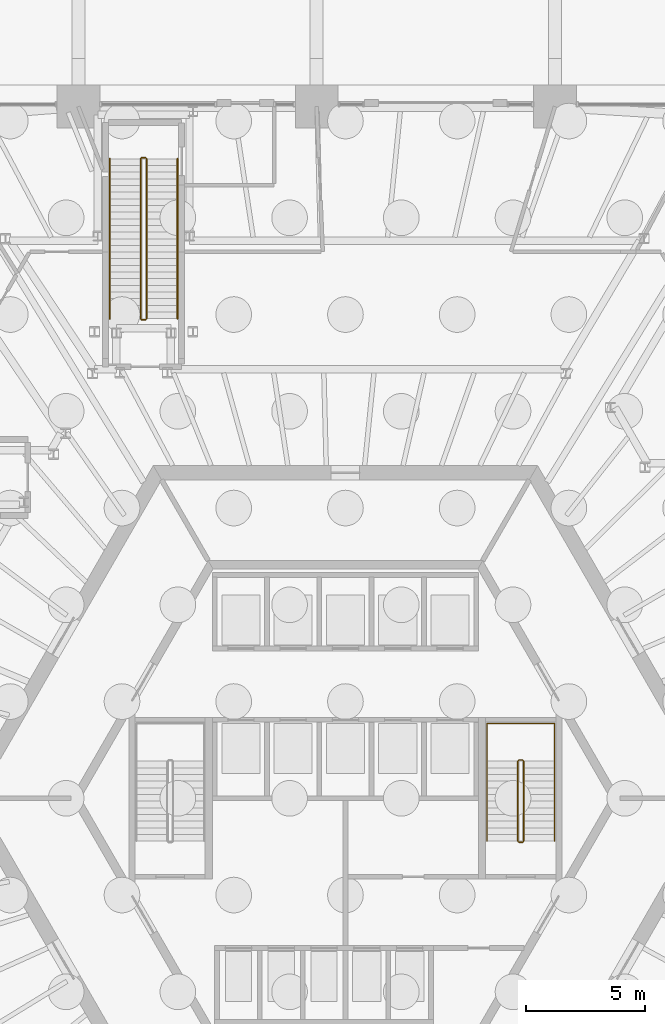
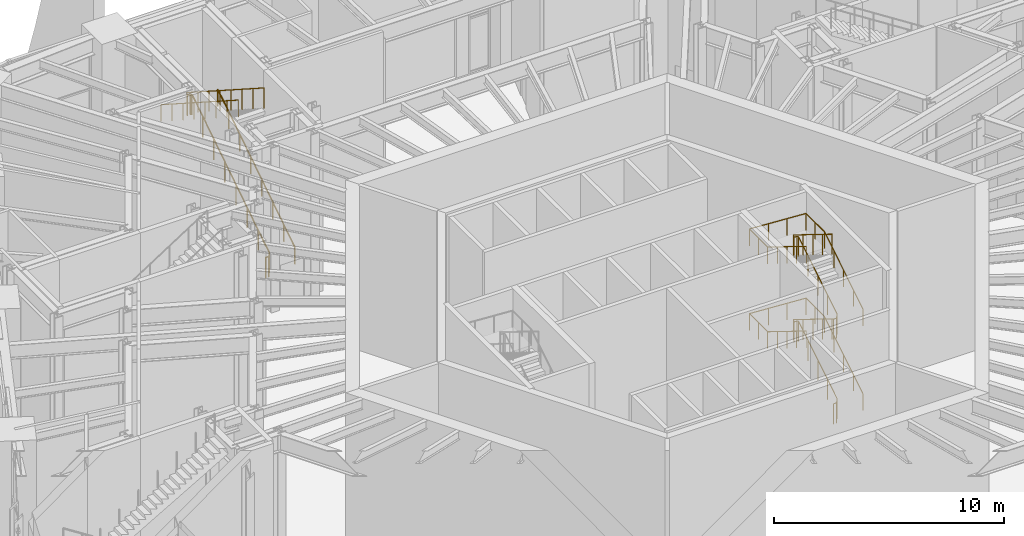
# One storey, part 38 of 43: 9 railings.
"""IFC4 building model written with IfcOpenShell, lengths in metres."""

import ifcopenshell
import ifcopenshell.guid

model = None  # the IFC model being written
_history = None  # IfcOwnerHistory: only IFC2X3 demands one
_inside = {}  # id of a spatial element -> (the spatial element, [elements in it])
_under = {}  # id of a project, library or spatial element -> (it, [spatial elements below it])
_declared = {}  # id of a project -> (the project, [libraries it declares])
_typed = {}  # id of a type object -> (the type object, [elements of that type])
_made_of = {}  # id of a material, layer set ... -> (it, [elements and type objects made of it])


def new_model(schema):
    """Start an empty IFC model of exactly this schema.

    Asked for "IFC4X3", IfcOpenShell would pick the latest addendum, in which some entities
    have other attributes; the version numbers below select the first issue.
    IFC2X3 requires an IfcOwnerHistory on every rooted entity: one is made here for all.
    """
    global model, _history
    if schema == "IFC4X3":
        model = ifcopenshell.file(schema_version=(4, 3, 0, 0))
    else:
        model = ifcopenshell.file(schema=schema)
    _inside.clear()
    _under.clear()
    _declared.clear()
    _typed.clear()
    _made_of.clear()
    _history = None
    if model.schema == "IFC2X3":
        org = make("IfcOrganization", Name="unknown")
        user = make(
            "IfcPersonAndOrganization",
            ThePerson=make("IfcPerson", FamilyName="unknown"),
            TheOrganization=org,
        )
        app = make(
            "IfcApplication",
            ApplicationDeveloper=org,
            Version="unknown",
            ApplicationFullName="unknown",
            ApplicationIdentifier="unknown",
        )
        _history = make(
            "IfcOwnerHistory",
            OwningUser=user,
            OwningApplication=app,
            ChangeAction="ADDED",
            CreationDate=0,
        )
    return model


def make(cls, **values):
    """One entity of the class cls with the attributes given. An attribute that is None is left unset."""
    return model.create_entity(
        cls, **{name: value for name, value in values.items() if value is not None}
    )


def rooted(cls, **values):
    """An entity with a GlobalId (a new one), such as an element, a storey or a relation."""
    return make(cls, GlobalId=ifcopenshell.guid.new(), OwnerHistory=_history, **values)


def si_unit(unit_type, name, prefix=None):
    """IfcSIUnit, for example si_unit("LENGTHUNIT", "METRE", prefix="MILLI")."""
    return make("IfcSIUnit", UnitType=unit_type, Prefix=prefix, Name=name)


def assignment(units):
    """IfcUnitAssignment: the units of a project."""
    return None if units is None else make("IfcUnitAssignment", Units=units)


def point(xyz):
    """IfcCartesianPoint."""
    return None if xyz is None else make("IfcCartesianPoint", Coordinates=xyz)


def direction(xyz):
    """IfcDirection."""
    return None if xyz is None else make("IfcDirection", DirectionRatios=xyz)


def frame(location, z_axis=None, x_axis=None):
    """IfcAxis2Placement3D, a coordinate frame: its origin and axes. An axis left out is left unset."""
    return make(
        "IfcAxis2Placement3D",
        Location=point(location),
        Axis=direction(z_axis),
        RefDirection=direction(x_axis),
    )


def frame_2d(location, x_axis=None):
    """IfcAxis2Placement2D, a coordinate frame in the plane: its origin and x axis."""
    return make(
        "IfcAxis2Placement2D", Location=point(location), RefDirection=direction(x_axis)
    )


def origin():
    """The frame at (0, 0, 0) with its axes left unset."""
    return frame((0.0, 0.0, 0.0))


def origin_2d():
    """The frame at (0, 0) in the plane with its x axis left unset."""
    return frame_2d((0.0, 0.0))


def place(relative_to, where):
    """IfcLocalPlacement: puts the frame where relative to a parent placement (None: the world)."""
    return make(
        "IfcLocalPlacement", PlacementRelTo=relative_to, RelativePlacement=where
    )


def context(
    kind, dimensions, precision=None, world=None, true_north=None, identifier=None
):
    """IfcGeometricRepresentationContext, for example the 3D "Model" context."""
    return make(
        "IfcGeometricRepresentationContext",
        ContextIdentifier=identifier,
        ContextType=kind,
        CoordinateSpaceDimension=dimensions,
        Precision=precision,
        WorldCoordinateSystem=world,
        TrueNorth=true_north,
    )


def subcontext(parent, identifier, kind, view, scale=None):
    """IfcGeometricRepresentationSubContext, for example "Body" below "Model"."""
    return make(
        "IfcGeometricRepresentationSubContext",
        ContextIdentifier=identifier,
        ContextType=kind,
        ParentContext=parent,
        TargetScale=scale,
        TargetView=view,
    )


def project(units=None, contexts=None):
    """IfcProject with its units and contexts."""
    return rooted(
        "IfcProject",
        Name="project",
        RepresentationContexts=contexts,
        UnitsInContext=assignment(units),
    )


def spatial(cls, under=None, at=None, **own):
    """A site, building, storey or space (cls), placed at a placement, below another one or the project."""
    s = rooted(cls, ObjectPlacement=at, **own)
    if under is not None:
        _under.setdefault(under.id(), (under, []))[1].append(s)
    return s


def profile(cls, at=None, kind="AREA", **sizes):
    """A parametric profile (cls). Its sizes go by their IFC names, for example OverallWidth=200.0."""
    return make(cls, ProfileType=kind, Position=at, **sizes)


def circle(**sizes):
    """IfcCircleProfileDef."""
    return profile("IfcCircleProfileDef", **sizes)


def extrude(swept, where, along, depth):
    """IfcExtrudedAreaSolid: the profile swept, set in the frame where, extruded along a direction by depth."""
    return make(
        "IfcExtrudedAreaSolid",
        SweptArea=swept,
        Position=where,
        ExtrudedDirection=direction(along),
        Depth=depth,
    )


def shape(context_of_items, identifier, shape_type, items):
    """IfcShapeRepresentation: the items that make up one representation, for example the "Body"."""
    return make(
        "IfcShapeRepresentation",
        ContextOfItems=context_of_items,
        RepresentationIdentifier=identifier,
        RepresentationType=shape_type,
        Items=items,
    )


def material(Name=None, Category=None):
    """IfcMaterial."""
    return make("IfcMaterial", Name=Name, Category=Category)


def made_of(thing, what):
    """Note that an element or type object is made of a material, layer set ...; save() writes the relation."""
    if what is not None:
        _made_of.setdefault(what.id(), (what, []))[1].append(thing)
    return thing


def type_object(cls, material=None, **own):
    """A type object (cls), such as IfcWallType, which elements share."""
    return made_of(rooted(cls, **own), material)


def element(
    cls,
    number,
    at=None,
    inside=None,
    cuts=None,
    type_object=None,
    material=None,
    context=None,
    identifier="Body",
    shape_type=None,
    held_by="IfcProductDefinitionShape",
    body=None,
    shapes=None,
    **own,
):
    """One element of the class cls, such as IfcWall. Its Tag is "e" and its number.

    at: its placement. inside: the storey or other place that contains it. cuts: it is an
    opening in that element (IfcRelVoidsElement). A single representation is given by context,
    identifier, shape_type and body (its items); several are given by shapes. held_by: the class
    of the entity that holds the representations. save() writes the other relations.
    """
    e = rooted(cls, Tag="e%d" % number, ObjectPlacement=at, **own)
    if body is not None:
        shapes = [shape(context, identifier, shape_type, body)]
    if shapes is not None:
        e.Representation = make(held_by, Representations=shapes)
    if inside is not None:
        _inside.setdefault(inside.id(), (inside, []))[1].append(e)
    if cuts is not None:
        rooted(
            "IfcRelVoidsElement", RelatingBuildingElement=cuts, RelatedOpeningElement=e
        )
    if type_object is not None:
        _typed.setdefault(type_object.id(), (type_object, []))[1].append(e)
    return made_of(e, material)


def aggregate(whole, parts):
    """IfcRelAggregates: a whole, such as a stair, and the parts it consists of."""
    return rooted("IfcRelAggregates", RelatingObject=whole, RelatedObjects=parts)


def save(model, path):
    """Write the relations noted so far, then the file.

    IfcRelAggregates (storeys below a building ...), IfcRelContainedInSpatialStructure (elements
    in a storey), IfcRelDefinesByType, IfcRelAssociatesMaterial and IfcRelDeclares: one each for
    every whole, place, type object, material and project.
    """
    for whole, parts in _under.values():
        aggregate(whole, parts)
    for where, things in _inside.values():
        rooted(
            "IfcRelContainedInSpatialStructure",
            RelatedElements=things,
            RelatingStructure=where,
        )
    for kind, things in _typed.values():
        rooted("IfcRelDefinesByType", RelatedObjects=things, RelatingType=kind)
    for what, things in _made_of.values():
        rooted("IfcRelAssociatesMaterial", RelatedObjects=things, RelatingMaterial=what)
    for by, libraries in _declared.values():
        rooted("IfcRelDeclares", RelatingContext=by, RelatedDefinitions=libraries)
    model.write(path)


model = new_model("IFC4")

# Units and contexts
model_context = context("Model", 3, precision=1e-05, world=origin(), true_north=direction((0.0, 1.0)))
body_context = subcontext(model_context, "Body", "Model", "MODEL_VIEW")
ifc_project = project(units=[si_unit("LENGTHUNIT", "METRE"), si_unit("AREAUNIT", "SQUARE_METRE"), si_unit("VOLUMEUNIT", "CUBIC_METRE"), si_unit("PLANEANGLEUNIT", "RADIAN"), si_unit("MASSUNIT", "GRAM", prefix="KILO")], contexts=[model_context])

# Site, building, storey
site_placement = place(None, origin())
site = spatial("IfcSite", under=ifc_project, at=site_placement, CompositionType="ELEMENT")
building_placement = place(site_placement, origin())
building = spatial("IfcBuilding", under=site, at=building_placement, Name="Tarnside Tower", CompositionType="ELEMENT")
storey_placement = place(building_placement, origin())
storey = spatial("IfcBuildingStorey", under=building, at=storey_placement, Name="L00", CompositionType="ELEMENT", Elevation=0.0)

# Railings
ifc_material = material(Name="Stainless steel", Category="steel")
railing_type_1 = type_object("IfcRailingType", Name="Podium stair guard 1100", PredefinedType="GUARDRAIL", material=ifc_material)
railing_1_placement = place(storey_placement, frame((-8.36474609375, 20.179931640625, 0.179931640625)))
element("IfcRailing", 1, at=railing_1_placement, inside=storey, type_object=railing_type_1, Name="L00 PS1 stair guard 1", PredefinedType="GUARDRAIL", context=body_context, shape_type="SweptSolid", body=[
    extrude(circle(Radius=0.02392578125, at=origin_2d()), frame((0.0, 0.0, 1.076171875), z_axis=(0.0, 0.841173510664, 0.540765314122), x_axis=(-1.0, 0.0, 0.0)), (0.0, 0.0, 1.0), 7.98876953125),
    extrude(circle(Radius=0.02099609375, at=origin_2d()), origin(), (0.0, 0.0, 1.0), 1.052001953125),
    extrude(circle(Radius=0.02099609375, at=origin_2d()), frame((0.0, 0.9599609375, 0.6171875)), (0.0, 0.0, 1.0), 1.052001953125),
    extrude(circle(Radius=0.02099609375, at=origin_2d()), frame((0.0, 1.919921875, 1.234375)), (0.0, 0.0, 1.0), 1.052001953125),
    extrude(circle(Radius=0.02099609375, at=origin_2d()), frame((0.0, 2.8798828125, 1.8515625)), (0.0, 0.0, 1.0), 1.052001953125),
    extrude(circle(Radius=0.02099609375, at=origin_2d()), frame((0.0, 3.840087890625, 2.468505859375)), (0.0, 0.0, 1.0), 1.052001953125),
    extrude(circle(Radius=0.02099609375, at=origin_2d()), frame((0.0, 4.800048828125, 3.085693359375)), (0.0, 0.0, 1.0), 1.052001953125),
    extrude(circle(Radius=0.02099609375, at=origin_2d()), frame((0.0, 5.760009765625, 3.702880859375)), (0.0, 0.0, 1.0), 1.052001953125),
    extrude(circle(Radius=0.02099609375, at=origin_2d()), frame((0.0, 6.719970703125, 4.320068359375)), (0.0, 0.0, 1.0), 1.052001953125),
])
railing_2_placement = place(storey_placement, frame((-8.414794921875, 26.949951171875, 4.5)))
element("IfcRailing", 2, at=railing_2_placement, inside=storey, type_object=railing_type_1, Name="L00 PS1 stair guard 2", PredefinedType="GUARDRAIL", context=body_context, shape_type="SweptSolid", body=[
    extrude(circle(Radius=0.02392578125, at=origin_2d()), frame((0.0, 0.0, 1.076171875), z_axis=(-1.0, 0.0, 0.0), x_axis=(0.0, -1.0, 0.0)), (0.0, 0.0, 1.0), 0.14990234375),
    extrude(circle(Radius=0.02099609375, at=origin_2d()), origin(), (0.0, 0.0, 1.0), 1.052001953125),
    extrude(circle(Radius=0.02099609375, at=origin_2d()), frame((-0.14990234375, 0.0, 0.0)), (0.0, 0.0, 1.0), 1.052001953125),
])
railing_3_placement = place(storey_placement, frame((-8.61474609375, 26.89990234375, 4.679931640625)))
element("IfcRailing", 3, at=railing_3_placement, inside=storey, type_object=railing_type_1, Name="L00 PS1 stair guard 3", PredefinedType="GUARDRAIL", context=body_context, shape_type="SweptSolid", body=[
    extrude(circle(Radius=0.02392578125, at=origin_2d()), frame((0.0, 0.0, 1.076171875), z_axis=(0.0, -0.841173510664, 0.540765314122), x_axis=(1.0, 0.0, 0.0)), (0.0, 0.0, 1.0), 7.98876953125),
    extrude(circle(Radius=0.02099609375, at=origin_2d()), origin(), (0.0, 0.0, 1.0), 1.052001953125),
    extrude(circle(Radius=0.02099609375, at=origin_2d()), frame((0.0, -0.9599609375, 0.6171875)), (0.0, 0.0, 1.0), 1.052001953125),
    extrude(circle(Radius=0.02099609375, at=origin_2d()), frame((0.0, -1.919921875, 1.234375)), (0.0, 0.0, 1.0), 1.052001953125),
    extrude(circle(Radius=0.02099609375, at=origin_2d()), frame((0.0, -2.8798828125, 1.8515625)), (0.0, 0.0, 1.0), 1.052001953125),
    extrude(circle(Radius=0.02099609375, at=origin_2d()), frame((0.0, -3.840087890625, 2.468505859375)), (0.0, 0.0, 1.0), 1.052001953125),
    extrude(circle(Radius=0.02099609375, at=origin_2d()), frame((0.0, -4.800048828125, 3.085693359375)), (0.0, 0.0, 1.0), 1.052001953125),
    extrude(circle(Radius=0.02099609375, at=origin_2d()), frame((0.0, -5.760009765625, 3.702880859375)), (0.0, 0.0, 1.0), 1.052001953125),
    extrude(circle(Radius=0.02099609375, at=origin_2d()), frame((0.0, -6.719970703125, 4.320068359375)), (0.0, 0.0, 1.0), 1.052001953125),
])
railing_4_placement = place(storey_placement, frame((-8.414794921875, 20.1298828125, 0.0)))
element("IfcRailing", 4, at=railing_4_placement, inside=storey, type_object=railing_type_1, Name="L00 PS1 stair guard 4", PredefinedType="GUARDRAIL", context=body_context, shape_type="SweptSolid", body=[
    extrude(circle(Radius=0.02392578125, at=origin_2d()), frame((0.0, 0.0, 1.076171875), z_axis=(-1.0, 0.0, 0.0), x_axis=(0.0, -1.0, 0.0)), (0.0, 0.0, 1.0), 0.14990234375),
    extrude(circle(Radius=0.02099609375, at=origin_2d()), origin(), (0.0, 0.0, 1.0), 1.052001953125),
    extrude(circle(Radius=0.02099609375, at=origin_2d()), frame((-0.14990234375, 0.0, 0.0)), (0.0, 0.0, 1.0), 1.052001953125),
])
railing_type_2 = type_object("IfcRailingType", Name="Podium stair handrail 900", PredefinedType="HANDRAIL", material=ifc_material)
railing_5_placement = place(storey_placement, frame((-7.064697265625, 20.179931640625, 0.179931640625)))
element("IfcRailing", 5, at=railing_5_placement, inside=storey, type_object=railing_type_2, Name="L00 PS1 stair handrail 1", PredefinedType="HANDRAIL", context=body_context, shape_type="SweptSolid", body=[
    extrude(circle(Radius=0.02392578125, at=origin_2d()), frame((0.0, 0.0, 0.8857421875), z_axis=(0.0, 0.841173510664, 0.540765314122), x_axis=(-1.0, 0.0, 0.0)), (0.0, 0.0, 1.0), 7.98876953125),
    extrude(circle(Radius=0.02099609375, at=origin_2d()), origin(), (0.0, 0.0, 1.0), 0.86181640625),
    extrude(circle(Radius=0.02099609375, at=origin_2d()), frame((0.0, 0.9599609375, 0.6171875)), (0.0, 0.0, 1.0), 0.86181640625),
    extrude(circle(Radius=0.02099609375, at=origin_2d()), frame((0.0, 1.919921875, 1.234375)), (0.0, 0.0, 1.0), 0.86181640625),
    extrude(circle(Radius=0.02099609375, at=origin_2d()), frame((0.0, 2.8798828125, 1.8515625)), (0.0, 0.0, 1.0), 0.86181640625),
    extrude(circle(Radius=0.02099609375, at=origin_2d()), frame((0.0, 3.840087890625, 2.468505859375)), (0.0, 0.0, 1.0), 0.86181640625),
    extrude(circle(Radius=0.02099609375, at=origin_2d()), frame((0.0, 4.800048828125, 3.085693359375)), (0.0, 0.0, 1.0), 0.86181640625),
    extrude(circle(Radius=0.02099609375, at=origin_2d()), frame((0.0, 5.760009765625, 3.702880859375)), (0.0, 0.0, 1.0), 0.86181640625),
    extrude(circle(Radius=0.02099609375, at=origin_2d()), frame((0.0, 6.719970703125, 4.320068359375)), (0.0, 0.0, 1.0), 0.86181640625),
])
railing_6_placement = place(storey_placement, frame((-9.914794921875, 26.89990234375, 4.679931640625)))
element("IfcRailing", 6, at=railing_6_placement, inside=storey, type_object=railing_type_2, Name="L00 PS1 stair handrail 2", PredefinedType="HANDRAIL", context=body_context, shape_type="SweptSolid", body=[
    extrude(circle(Radius=0.02392578125, at=origin_2d()), frame((0.0, 0.0, 0.8857421875), z_axis=(0.0, -0.841173510664, 0.540765314122), x_axis=(1.0, 0.0, 0.0)), (0.0, 0.0, 1.0), 7.98876953125),
    extrude(circle(Radius=0.02099609375, at=origin_2d()), origin(), (0.0, 0.0, 1.0), 0.86181640625),
    extrude(circle(Radius=0.02099609375, at=origin_2d()), frame((0.0, -0.9599609375, 0.6171875)), (0.0, 0.0, 1.0), 0.86181640625),
    extrude(circle(Radius=0.02099609375, at=origin_2d()), frame((0.0, -1.919921875, 1.234375)), (0.0, 0.0, 1.0), 0.86181640625),
    extrude(circle(Radius=0.02099609375, at=origin_2d()), frame((0.0, -2.8798828125, 1.8515625)), (0.0, 0.0, 1.0), 0.86181640625),
    extrude(circle(Radius=0.02099609375, at=origin_2d()), frame((0.0, -3.840087890625, 2.468505859375)), (0.0, 0.0, 1.0), 0.86181640625),
    extrude(circle(Radius=0.02099609375, at=origin_2d()), frame((0.0, -4.800048828125, 3.085693359375)), (0.0, 0.0, 1.0), 0.86181640625),
    extrude(circle(Radius=0.02099609375, at=origin_2d()), frame((0.0, -5.760009765625, 3.702880859375)), (0.0, 0.0, 1.0), 0.86181640625),
    extrude(circle(Radius=0.02099609375, at=origin_2d()), frame((0.0, -6.719970703125, 4.320068359375)), (0.0, 0.0, 1.0), 0.86181640625),
])
railing_type_3 = type_object("IfcRailingType", Name="Stair guard 1100", PredefinedType="GUARDRAIL", material=ifc_material)
railing_7_placement = place(storey_placement, frame((7.300048828125, -1.85009765625, 0.0)))
element("IfcRailing", 7, at=railing_7_placement, inside=storey, type_object=railing_type_3, Name="L00 ST1 stair guard 1", PredefinedType="GUARDRAIL", context=body_context, shape_type="SweptSolid", body=[
    extrude(circle(Radius=0.02392578125, at=origin_2d()), frame((0.0, 0.0, 1.076171875), z_axis=(1.0, 0.0, 0.0), x_axis=(0.0, 1.0, 0.0)), (0.0, 0.0, 1.0), 0.14990234375),
    extrude(circle(Radius=0.02392578125, at=origin_2d()), frame((0.14990234375, 0.0, 1.076171875), z_axis=(0.267629722418, 0.267629722418, 0.925607186314), x_axis=(-0.707106781187, 0.707106781187, 0.0)), (0.0, 0.0, 1.0), 0.18701171875),
    extrude(circle(Radius=0.02392578125, at=origin_2d()), frame((0.199951171875, 0.050048828125, 1.2490234375), z_axis=(0.0, 0.850623216509, 0.525775754039), x_axis=(-1.0, 0.0, 0.0)), (0.0, 0.0, 1.0), 3.9501953125),
    extrude(circle(Radius=0.02392578125, at=origin_2d()), frame((0.199951171875, 3.41015625, 3.326171875), z_axis=(-0.707106781187, 0.707106781187, 0.0), x_axis=(-0.707106781187, -0.707106781187, 0.0)), (0.0, 0.0, 1.0), 0.07080078125),
    extrude(circle(Radius=0.02392578125, at=origin_2d()), frame((0.14990234375, 3.460205078125, 3.326171875), z_axis=(-1.0, 0.0, 0.0), x_axis=(0.0, -1.0, 0.0)), (0.0, 0.0, 1.0), 0.14990234375),
    extrude(circle(Radius=0.02392578125, at=origin_2d()), frame((0.0, 3.460205078125, 3.326171875), z_axis=(-0.267629722418, -0.267629722418, 0.925607186314), x_axis=(0.707106781187, -0.707106781187, 0.0)), (0.0, 0.0, 1.0), 0.18701171875),
    extrude(circle(Radius=0.02392578125, at=origin_2d()), frame((-0.050048828125, 3.41015625, 3.4990234375), z_axis=(0.0, -0.850623216509, 0.525775754039), x_axis=(1.0, 0.0, 0.0)), (0.0, 0.0, 1.0), 3.9501953125),
    extrude(circle(Radius=0.02392578125, at=origin_2d()), frame((-0.050048828125, 0.050048828125, 5.576171875), z_axis=(0.707106781187, -0.707106781187, 0.0), x_axis=(0.707106781187, 0.707106781187, 0.0)), (0.0, 0.0, 1.0), 0.07080078125),
    extrude(circle(Radius=0.02392578125, at=origin_2d()), frame((0.0, 0.0, 5.576171875), z_axis=(1.0, 0.0, 0.0), x_axis=(0.0, 1.0, 0.0)), (0.0, 0.0, 1.0), 0.14990234375),
    extrude(circle(Radius=0.02392578125, at=origin_2d()), frame((0.14990234375, 0.0, 5.576171875), z_axis=(0.267629722418, 0.267629722418, 0.925607186314), x_axis=(-0.707106781187, 0.707106781187, 0.0)), (0.0, 0.0, 1.0), 0.18701171875),
    extrude(circle(Radius=0.02392578125, at=origin_2d()), frame((0.199951171875, 0.050048828125, 5.7490234375), z_axis=(0.0, 0.850623216509, 0.525775754039), x_axis=(-1.0, 0.0, 0.0)), (0.0, 0.0, 1.0), 3.9501953125),
    extrude(circle(Radius=0.02392578125, at=origin_2d()), frame((0.199951171875, 3.41015625, 7.826171875), z_axis=(-0.707106781187, 0.707106781187, 0.0), x_axis=(-0.707106781187, -0.707106781187, 0.0)), (0.0, 0.0, 1.0), 0.07080078125),
    extrude(circle(Radius=0.02392578125, at=origin_2d()), frame((0.14990234375, 3.460205078125, 7.826171875), z_axis=(-1.0, 0.0, 0.0), x_axis=(0.0, -1.0, 0.0)), (0.0, 0.0, 1.0), 0.14990234375),
    extrude(circle(Radius=0.02392578125, at=origin_2d()), frame((0.0, 3.460205078125, 7.826171875), z_axis=(-0.267629722418, -0.267629722418, 0.925607186314), x_axis=(0.707106781187, -0.707106781187, 0.0)), (0.0, 0.0, 1.0), 0.18701171875),
    extrude(circle(Radius=0.02392578125, at=origin_2d()), frame((-0.050048828125, 3.41015625, 7.9990234375), z_axis=(0.0, -0.850623216509, 0.525775754039), x_axis=(1.0, 0.0, 0.0)), (0.0, 0.0, 1.0), 3.9501953125),
    extrude(circle(Radius=0.02099609375, at=origin_2d()), origin(), (0.0, 0.0, 1.0), 1.052001953125),
    extrude(circle(Radius=0.02099609375, at=origin_2d()), frame((0.14990234375, 0.0, 0.0)), (0.0, 0.0, 1.0), 1.052001953125),
    extrude(circle(Radius=0.02099609375, at=origin_2d()), frame((0.199951171875, 0.050048828125, 0.173095703125)), (0.0, 0.0, 1.0), 1.052001953125),
    extrude(circle(Radius=0.02099609375, at=origin_2d()), frame((0.199951171875, 0.89013671875, 0.6923828125)), (0.0, 0.0, 1.0), 1.052001953125),
    extrude(circle(Radius=0.02099609375, at=origin_2d()), frame((0.199951171875, 1.72998046875, 1.21142578125)), (0.0, 0.0, 1.0), 1.052001953125),
    extrude(circle(Radius=0.02099609375, at=origin_2d()), frame((0.199951171875, 2.570068359375, 1.730712890625)), (0.0, 0.0, 1.0), 1.052001953125),
    extrude(circle(Radius=0.02099609375, at=origin_2d()), frame((0.199951171875, 3.41015625, 2.25)), (0.0, 0.0, 1.0), 1.052001953125),
    extrude(circle(Radius=0.02099609375, at=origin_2d()), frame((0.14990234375, 3.460205078125, 2.25)), (0.0, 0.0, 1.0), 1.052001953125),
    extrude(circle(Radius=0.02099609375, at=origin_2d()), frame((0.0, 3.460205078125, 2.25)), (0.0, 0.0, 1.0), 1.052001953125),
    extrude(circle(Radius=0.02099609375, at=origin_2d()), frame((-0.050048828125, 3.41015625, 2.423095703125)), (0.0, 0.0, 1.0), 1.052001953125),
    extrude(circle(Radius=0.02099609375, at=origin_2d()), frame((-0.050048828125, 2.570068359375, 2.9423828125)), (0.0, 0.0, 1.0), 1.052001953125),
    extrude(circle(Radius=0.02099609375, at=origin_2d()), frame((-0.050048828125, 1.72998046875, 3.46142578125)), (0.0, 0.0, 1.0), 1.052001953125),
    extrude(circle(Radius=0.02099609375, at=origin_2d()), frame((-0.050048828125, 0.89013671875, 3.980712890625)), (0.0, 0.0, 1.0), 1.052001953125),
    extrude(circle(Radius=0.02099609375, at=origin_2d()), frame((-0.050048828125, 0.050048828125, 4.5)), (0.0, 0.0, 1.0), 1.052001953125),
    extrude(circle(Radius=0.02099609375, at=origin_2d()), frame((0.0, 0.0, 4.5)), (0.0, 0.0, 1.0), 1.052001953125),
    extrude(circle(Radius=0.02099609375, at=origin_2d()), frame((0.14990234375, 0.0, 4.5)), (0.0, 0.0, 1.0), 1.052001953125),
    extrude(circle(Radius=0.02099609375, at=origin_2d()), frame((0.199951171875, 0.050048828125, 4.673095703125)), (0.0, 0.0, 1.0), 1.052001953125),
    extrude(circle(Radius=0.02099609375, at=origin_2d()), frame((0.199951171875, 0.89013671875, 5.1923828125)), (0.0, 0.0, 1.0), 1.052001953125),
    extrude(circle(Radius=0.02099609375, at=origin_2d()), frame((0.199951171875, 1.72998046875, 5.71142578125)), (0.0, 0.0, 1.0), 1.052001953125),
    extrude(circle(Radius=0.02099609375, at=origin_2d()), frame((0.199951171875, 2.570068359375, 6.230712890625)), (0.0, 0.0, 1.0), 1.052001953125),
    extrude(circle(Radius=0.02099609375, at=origin_2d()), frame((0.199951171875, 3.41015625, 6.75)), (0.0, 0.0, 1.0), 1.052001953125),
    extrude(circle(Radius=0.02099609375, at=origin_2d()), frame((0.14990234375, 3.460205078125, 6.75)), (0.0, 0.0, 1.0), 1.052001953125),
    extrude(circle(Radius=0.02099609375, at=origin_2d()), frame((0.0, 3.460205078125, 6.75)), (0.0, 0.0, 1.0), 1.052001953125),
    extrude(circle(Radius=0.02099609375, at=origin_2d()), frame((-0.050048828125, 3.41015625, 6.923095703125)), (0.0, 0.0, 1.0), 1.052001953125),
    extrude(circle(Radius=0.02099609375, at=origin_2d()), frame((-0.050048828125, 2.570068359375, 7.4423828125)), (0.0, 0.0, 1.0), 1.052001953125),
    extrude(circle(Radius=0.02099609375, at=origin_2d()), frame((-0.050048828125, 1.72998046875, 7.96142578125)), (0.0, 0.0, 1.0), 1.052001953125),
    extrude(circle(Radius=0.02099609375, at=origin_2d()), frame((-0.050048828125, 0.89013671875, 8.480712890625)), (0.0, 0.0, 1.0), 1.052001953125),
    extrude(circle(Radius=0.02099609375, at=origin_2d()), frame((-0.050048828125, 0.050048828125, 9.0)), (0.0, 0.0, 1.0), 1.052001953125),
])
railing_type_4 = type_object("IfcRailingType", Name="Stair handrail 900", PredefinedType="HANDRAIL", material=ifc_material)
railing_8_placement = place(storey_placement, frame((8.800048828125, -1.800048828125, 0.173095703125)))
element("IfcRailing", 8, at=railing_8_placement, inside=storey, type_object=railing_type_4, Name="L00 ST1 stair handrail 1", PredefinedType="HANDRAIL", context=body_context, shape_type="SweptSolid", body=[
    extrude(circle(Radius=0.02392578125, at=origin_2d()), frame((0.0, 0.0, 0.8857421875), z_axis=(0.0, 0.850623216509, 0.525775754039), x_axis=(-1.0, 0.0, 0.0)), (0.0, 0.0, 1.0), 3.9501953125),
    extrude(circle(Radius=0.02392578125, at=origin_2d()), frame((0.0, 3.360107421875, 2.962890625), z_axis=(0.0, 1.0, 0.0), x_axis=(-1.0, 0.0, 0.0)), (0.0, 0.0, 1.0), 1.58984375),
    extrude(circle(Radius=0.02392578125, at=origin_2d()), frame((0.0, 4.949951171875, 2.962890625), z_axis=(-0.9981608223, 0.0, 0.060621554138), x_axis=(0.0, -1.0, 0.0)), (0.0, 0.0, 1.0), 2.85546875),
    extrude(circle(Radius=0.02392578125, at=origin_2d()), frame((-2.85009765625, 4.949951171875, 3.1357421875), z_axis=(0.0, -1.0, 0.0), x_axis=(1.0, 0.0, 0.0)), (0.0, 0.0, 1.0), 1.58984375),
    extrude(circle(Radius=0.02392578125, at=origin_2d()), frame((-2.85009765625, 3.360107421875, 3.1357421875), z_axis=(0.0, -0.850623216509, 0.525775754039), x_axis=(1.0, 0.0, 0.0)), (0.0, 0.0, 1.0), 3.9501953125),
    extrude(circle(Radius=0.02099609375, at=origin_2d()), origin(), (0.0, 0.0, 1.0), 0.86181640625),
    extrude(circle(Radius=0.02099609375, at=origin_2d()), frame((0.0, 0.840087890625, 0.519287109375)), (0.0, 0.0, 1.0), 0.86181640625),
    extrude(circle(Radius=0.02099609375, at=origin_2d()), frame((0.0, 1.68017578125, 1.03857421875)), (0.0, 0.0, 1.0), 0.86181640625),
    extrude(circle(Radius=0.02099609375, at=origin_2d()), frame((0.0, 2.52001953125, 1.5576171875)), (0.0, 0.0, 1.0), 0.86181640625),
    extrude(circle(Radius=0.02099609375, at=origin_2d()), frame((0.0, 3.360107421875, 2.076904296875)), (0.0, 0.0, 1.0), 0.86181640625),
    extrude(circle(Radius=0.02099609375, at=origin_2d()), frame((0.0, 4.155029296875, 2.076904296875)), (0.0, 0.0, 1.0), 0.86181640625),
    extrude(circle(Radius=0.02099609375, at=origin_2d()), frame((0.0, 4.949951171875, 2.076904296875)), (0.0, 0.0, 1.0), 0.86181640625),
    extrude(circle(Radius=0.02099609375, at=origin_2d()), frame((-0.949951171875, 4.949951171875, 2.134521484375)), (0.0, 0.0, 1.0), 0.86181640625),
    extrude(circle(Radius=0.02099609375, at=origin_2d()), frame((-1.900146484375, 4.949951171875, 2.1923828125)), (0.0, 0.0, 1.0), 0.86181640625),
    extrude(circle(Radius=0.02099609375, at=origin_2d()), frame((-2.85009765625, 4.949951171875, 2.25)), (0.0, 0.0, 1.0), 0.86181640625),
    extrude(circle(Radius=0.02099609375, at=origin_2d()), frame((-2.85009765625, 4.155029296875, 2.25)), (0.0, 0.0, 1.0), 0.86181640625),
    extrude(circle(Radius=0.02099609375, at=origin_2d()), frame((-2.85009765625, 3.360107421875, 2.25)), (0.0, 0.0, 1.0), 0.86181640625),
    extrude(circle(Radius=0.02099609375, at=origin_2d()), frame((-2.85009765625, 2.52001953125, 2.769287109375)), (0.0, 0.0, 1.0), 0.86181640625),
    extrude(circle(Radius=0.02099609375, at=origin_2d()), frame((-2.85009765625, 1.68017578125, 3.28857421875)), (0.0, 0.0, 1.0), 0.86181640625),
    extrude(circle(Radius=0.02099609375, at=origin_2d()), frame((-2.85009765625, 0.840087890625, 3.8076171875)), (0.0, 0.0, 1.0), 0.86181640625),
    extrude(circle(Radius=0.02099609375, at=origin_2d()), frame((-2.85009765625, 0.0, 4.326904296875)), (0.0, 0.0, 1.0), 0.86181640625),
])
railing_9_placement = place(storey_placement, frame((8.800048828125, -1.800048828125, 4.673095703125)))
element("IfcRailing", 9, at=railing_9_placement, inside=storey, type_object=railing_type_4, Name="L00 ST1 stair handrail 2", PredefinedType="HANDRAIL", context=body_context, shape_type="SweptSolid", body=[
    extrude(circle(Radius=0.02392578125, at=origin_2d()), frame((0.0, 0.0, 0.8857421875), z_axis=(0.0, 0.850623216509, 0.525775754039), x_axis=(-1.0, 0.0, 0.0)), (0.0, 0.0, 1.0), 3.9501953125),
    extrude(circle(Radius=0.02392578125, at=origin_2d()), frame((0.0, 3.360107421875, 2.962890625), z_axis=(0.0, 1.0, 0.0), x_axis=(-1.0, 0.0, 0.0)), (0.0, 0.0, 1.0), 1.58984375),
    extrude(circle(Radius=0.02392578125, at=origin_2d()), frame((0.0, 4.949951171875, 2.962890625), z_axis=(-0.9981608223, 0.0, 0.060621554138), x_axis=(0.0, -1.0, 0.0)), (0.0, 0.0, 1.0), 2.85546875),
    extrude(circle(Radius=0.02392578125, at=origin_2d()), frame((-2.85009765625, 4.949951171875, 3.1357421875), z_axis=(0.0, -1.0, 0.0), x_axis=(1.0, 0.0, 0.0)), (0.0, 0.0, 1.0), 1.58984375),
    extrude(circle(Radius=0.02392578125, at=origin_2d()), frame((-2.85009765625, 3.360107421875, 3.1357421875), z_axis=(0.0, -0.850623216509, 0.525775754039), x_axis=(1.0, 0.0, 0.0)), (0.0, 0.0, 1.0), 3.9501953125),
    extrude(circle(Radius=0.02099609375, at=origin_2d()), origin(), (0.0, 0.0, 1.0), 0.86181640625),
    extrude(circle(Radius=0.02099609375, at=origin_2d()), frame((0.0, 0.840087890625, 0.519287109375)), (0.0, 0.0, 1.0), 0.86181640625),
    extrude(circle(Radius=0.02099609375, at=origin_2d()), frame((0.0, 1.68017578125, 1.03857421875)), (0.0, 0.0, 1.0), 0.86181640625),
    extrude(circle(Radius=0.02099609375, at=origin_2d()), frame((0.0, 2.52001953125, 1.5576171875)), (0.0, 0.0, 1.0), 0.86181640625),
    extrude(circle(Radius=0.02099609375, at=origin_2d()), frame((0.0, 3.360107421875, 2.076904296875)), (0.0, 0.0, 1.0), 0.86181640625),
    extrude(circle(Radius=0.02099609375, at=origin_2d()), frame((0.0, 4.155029296875, 2.076904296875)), (0.0, 0.0, 1.0), 0.86181640625),
    extrude(circle(Radius=0.02099609375, at=origin_2d()), frame((0.0, 4.949951171875, 2.076904296875)), (0.0, 0.0, 1.0), 0.86181640625),
    extrude(circle(Radius=0.02099609375, at=origin_2d()), frame((-0.949951171875, 4.949951171875, 2.134521484375)), (0.0, 0.0, 1.0), 0.86181640625),
    extrude(circle(Radius=0.02099609375, at=origin_2d()), frame((-1.900146484375, 4.949951171875, 2.1923828125)), (0.0, 0.0, 1.0), 0.86181640625),
    extrude(circle(Radius=0.02099609375, at=origin_2d()), frame((-2.85009765625, 4.949951171875, 2.25)), (0.0, 0.0, 1.0), 0.86181640625),
    extrude(circle(Radius=0.02099609375, at=origin_2d()), frame((-2.85009765625, 4.155029296875, 2.25)), (0.0, 0.0, 1.0), 0.86181640625),
    extrude(circle(Radius=0.02099609375, at=origin_2d()), frame((-2.85009765625, 3.360107421875, 2.25)), (0.0, 0.0, 1.0), 0.86181640625),
    extrude(circle(Radius=0.02099609375, at=origin_2d()), frame((-2.85009765625, 2.52001953125, 2.769287109375)), (0.0, 0.0, 1.0), 0.86181640625),
    extrude(circle(Radius=0.02099609375, at=origin_2d()), frame((-2.85009765625, 1.68017578125, 3.28857421875)), (0.0, 0.0, 1.0), 0.86181640625),
    extrude(circle(Radius=0.02099609375, at=origin_2d()), frame((-2.85009765625, 0.840087890625, 3.8076171875)), (0.0, 0.0, 1.0), 0.86181640625),
    extrude(circle(Radius=0.02099609375, at=origin_2d()), frame((-2.85009765625, 0.0, 4.326904296875)), (0.0, 0.0, 1.0), 0.86181640625),
])

save(model, "model.ifc")
